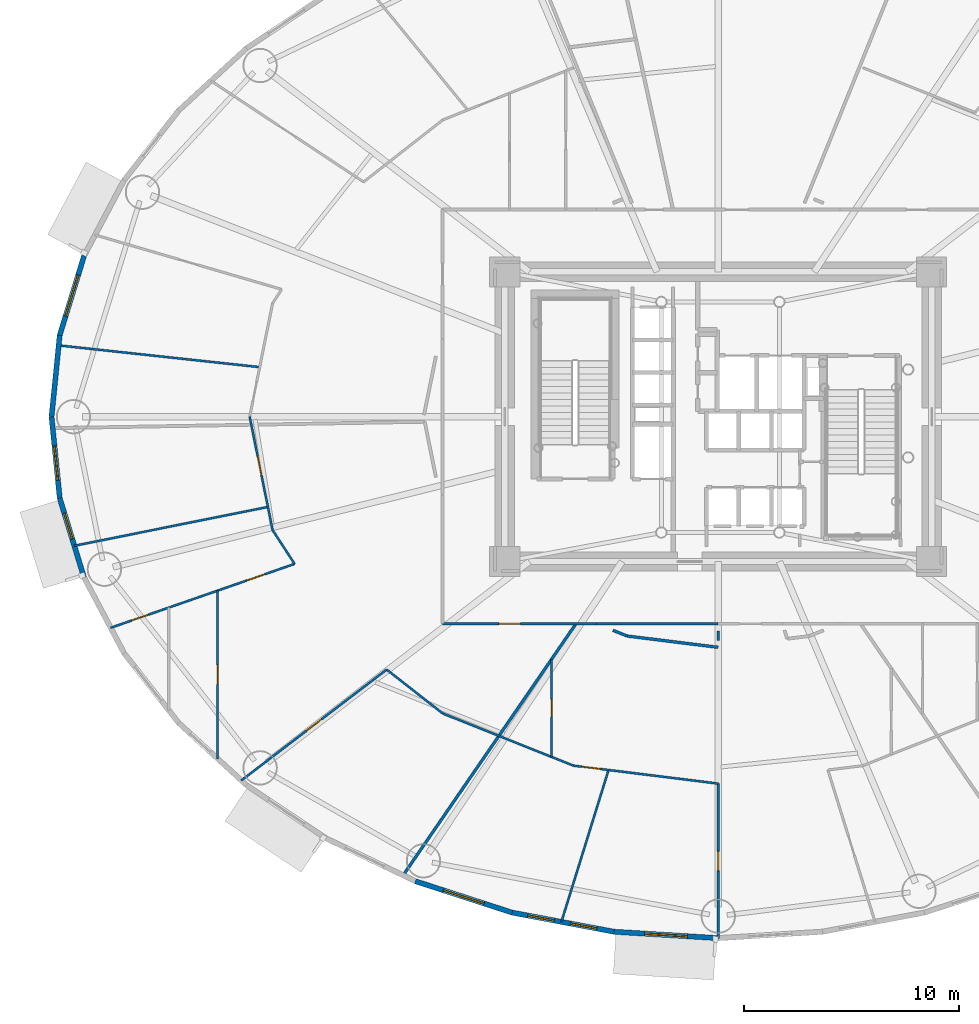
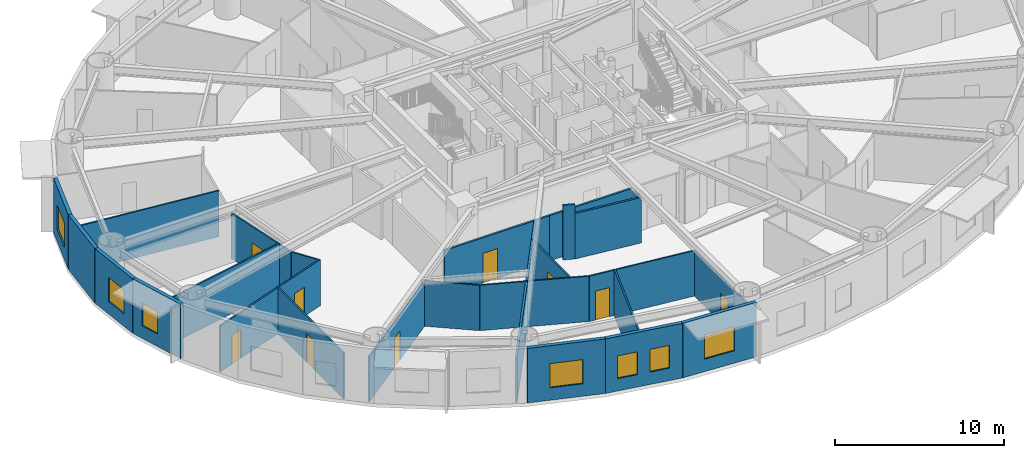
# One storey, part 8 of 21: 26 walls, 9 doors, 7 windows, 16 openings.
"""IFC4 building model written with IfcOpenShell, lengths in metres."""

from ifc_helpers import new_model, si_unit, direction, frame, frame_2d, origin, origin_2d, place, context, subcontext, project, spatial, rectangle, extrude, source, transform, mapped, material, layer, layer_set, type_object, element, fill, save


model = new_model("IFC4")

# Units and contexts
model_context = context("Model", 3, precision=1e-05, world=origin(), true_north=direction((0.0, 1.0)))
body_context = subcontext(model_context, "Body", "Model", "MODEL_VIEW")
ifc_project = project(units=[si_unit("LENGTHUNIT", "METRE"), si_unit("AREAUNIT", "SQUARE_METRE"), si_unit("VOLUMEUNIT", "CUBIC_METRE"), si_unit("PLANEANGLEUNIT", "RADIAN"), si_unit("MASSUNIT", "GRAM", prefix="KILO")], contexts=[model_context])

# Site, building, storey
site_placement = place(None, origin())
site = spatial("IfcSite", under=ifc_project, at=site_placement, CompositionType="ELEMENT")
building_placement = place(site_placement, origin())
building = spatial("IfcBuilding", under=site, at=building_placement, Name="Linh Dai School and Residence Tower", CompositionType="ELEMENT")
storey_placement = place(building_placement, frame((0.0, 0.0, 78.60009765625)))
storey = spatial("IfcBuildingStorey", under=building, at=storey_placement, Name="L18", CompositionType="ELEMENT", Elevation=78.60009765625)

# Wall, opening, window
ifc_material_1 = material(Name="Precast Concrete B45 (C35/45)", Category="concrete")
ifc_layer_1 = layer(ifc_material_1, 0.239990234375)
ifc_layer_set_1 = layer_set([ifc_layer_1], Name="Precast Concrete B45 (C35/45)")
wall_type_1 = type_object("IfcWallType", Name="EW-TC-240", PredefinedType="SOLIDWALL", material=ifc_layer_set_1)
wall_1_placement = place(storey_placement, frame((5.306640625, 30.796875, 0.0), z_axis=(0.0, 0.0, 1.0), x_axis=(0.293111631758, 0.956078224482, 0.0)))
wall_1 = element("IfcWall", 1, at=wall_1_placement, inside=storey, type_object=wall_type_1, Name="L18 Terracotta Exterior Wall 19", PredefinedType="SOLIDWALL", context=body_context, shape_type="SweptSolid", body=[
    extrude(rectangle(XDim=3.874755859375, YDim=0.239990234375, at=frame_2d((1.9375, 0.0))), origin(), (0.0, 0.0, 1.0), 3.949951171875),
])
opening_1_placement = place(wall_1_placement, frame((0.9375, 0.0, 0.89990234375)))
opening_1 = element("IfcOpeningElement", 2, at=opening_1_placement, cuts=wall_1, Name="Opening W1", PredefinedType="OPENING", context=body_context, shape_type="SweptSolid", body=[
    extrude(rectangle(XDim=2.0, YDim=1.75, at=origin_2d()), frame((1.0, 0.1298828125, 0.875), z_axis=(0.0, -1.0, 0.0), x_axis=(1.0, 0.0, 0.0)), (0.0, 0.0, 1.0), 0.260009765625),
])
ifc_material_2 = material(Name="Double Low-E Insulated Glazing", Category="glass")
window_type_1 = type_object("IfcWindowType", Name="WN-RES-2000x1750", PartitioningType="DOUBLE_PANEL_VERTICAL", PredefinedType="WINDOW", material=ifc_material_2)
shared_shape_1 = source(origin(), body_context, "Body", "SweptSolid", [
    extrude(rectangle(XDim=2.0, YDim=1.75, at=origin_2d()), frame((1.0, 0.030029296875, 0.875), z_axis=(0.0, -1.0, 0.0), x_axis=(1.0, 0.0, 0.0)), (0.0, 0.0, 1.0), 0.06005859375),
])
window_1_placement = place(opening_1_placement, origin())
window_1 = element("IfcWindow", 3, at=window_1_placement, inside=storey, type_object=window_type_1, Name="L18 Exterior Window 19.1", OverallHeight=1.75, OverallWidth=2.0, PartitioningType="DOUBLE_PANEL_VERTICAL", PredefinedType="WINDOW", context=body_context, shape_type="MappedRepresentation", body=[
    mapped(shared_shape_1, transform((0.0, 0.0, 0.0), x_axis=(1.0, 0.0, 0.0), y_axis=(0.0, 1.0, 0.0), z_axis=(0.0, 0.0, 1.0), scale=1.0)),
])
fill(opening_1, window_1)

# Wall
wall_2_placement = place(storey_placement, frame((4.925048828125, 27.0, 0.0), z_axis=(0.0, 0.0, 1.0), x_axis=(0.099997795174, 0.994987658698, 0.0)))
element("IfcWall", 4, at=wall_2_placement, inside=storey, type_object=wall_type_1, Name="L18 Terracotta Exterior Wall 20", PredefinedType="SOLIDWALL", context=body_context, shape_type="SweptSolid", body=[
    extrude(rectangle(XDim=3.81591796875, YDim=0.239990234375, at=frame_2d((1.907958984375, 0.0))), origin(), (0.0, 0.0, 1.0), 3.949951171875),
])

# Wall, opening, window
wall_3_placement = place(storey_placement, frame((5.306640625, 23.203125, 0.0), z_axis=(0.0, 0.0, 1.0), x_axis=(-0.099997795174, 0.994987658698, 0.0)))
wall_3 = element("IfcWall", 5, at=wall_3_placement, inside=storey, type_object=wall_type_1, Name="L18 Terracotta Exterior Wall 21", PredefinedType="SOLIDWALL", context=body_context, shape_type="SweptSolid", body=[
    extrude(rectangle(XDim=3.81591796875, YDim=0.239990234375, at=frame_2d((1.907958984375, 0.0))), origin(), (0.0, 0.0, 1.0), 3.949951171875),
])
opening_2_placement = place(wall_3_placement, frame((0.8408203125, 0.0, 0.89990234375)))
opening_2 = element("IfcOpeningElement", 6, at=opening_2_placement, cuts=wall_3, Name="Opening W2", PredefinedType="OPENING", context=body_context, shape_type="SweptSolid", body=[
    extrude(rectangle(XDim=1.60009765625, YDim=1.75, at=origin_2d()), frame((0.800048828125, 0.1298828125, 0.875), z_axis=(0.0, -1.0, 0.0), x_axis=(1.0, 0.0, 0.0)), (0.0, 0.0, 1.0), 0.260009765625),
])
window_type_2 = type_object("IfcWindowType", Name="WN-RES-1600x1750", PartitioningType="DOUBLE_PANEL_VERTICAL", PredefinedType="WINDOW", material=ifc_material_2)
shared_shape_2 = source(origin(), body_context, "Body", "SweptSolid", [
    extrude(rectangle(XDim=1.60009765625, YDim=1.75, at=origin_2d()), frame((0.800048828125, 0.030029296875, 0.875), z_axis=(0.0, -1.0, 0.0), x_axis=(1.0, 0.0, 0.0)), (0.0, 0.0, 1.0), 0.06005859375),
])
window_2_placement = place(opening_2_placement, origin())
window_2 = element("IfcWindow", 7, at=window_2_placement, inside=storey, type_object=window_type_2, Name="L18 Exterior Window 21.1", OverallHeight=1.75, OverallWidth=1.60009765625, PartitioningType="DOUBLE_PANEL_VERTICAL", PredefinedType="WINDOW", context=body_context, shape_type="MappedRepresentation", body=[
    mapped(shared_shape_2, transform((0.0, 0.0, 0.0), x_axis=(1.0, 0.0, 0.0), y_axis=(0.0, 1.0, 0.0), z_axis=(0.0, 0.0, 1.0), scale=1.0)),
])
fill(opening_2, window_2)

wall_4_placement = place(storey_placement, frame((6.4423828125, 19.49853515625, 0.0), z_axis=(0.0, 0.0, 1.0), x_axis=(-0.293111631758, 0.956078224482, 0.0)))
wall_4 = element("IfcWall", 8, at=wall_4_placement, inside=storey, type_object=wall_type_1, Name="L18 Terracotta Exterior Wall 22", PredefinedType="SOLIDWALL", context=body_context, shape_type="SweptSolid", body=[
    extrude(rectangle(XDim=3.874755859375, YDim=0.239990234375, at=frame_2d((1.9375, 0.0))), origin(), (0.0, 0.0, 1.0), 3.949951171875),
])
opening_3_placement = place(wall_4_placement, frame((1.886962890625, 0.0, 0.89990234375)))
opening_3 = element("IfcOpeningElement", 9, at=opening_3_placement, cuts=wall_4, Name="Opening W3", PredefinedType="OPENING", context=body_context, shape_type="SweptSolid", body=[
    extrude(rectangle(XDim=1.25, YDim=1.64990234375, at=origin_2d()), frame((0.625, 0.1298828125, 0.824951171875), z_axis=(0.0, -1.0, 0.0), x_axis=(1.0, 0.0, 0.0)), (0.0, 0.0, 1.0), 0.260009765625),
])
window_type_3 = type_object("IfcWindowType", Name="WN-RES-1250x1650", PartitioningType="SINGLE_PANEL", PredefinedType="WINDOW", material=ifc_material_2)
shared_shape_3 = source(origin(), body_context, "Body", "SweptSolid", [
    extrude(rectangle(XDim=1.25, YDim=1.64990234375, at=origin_2d()), frame((0.625, 0.030029296875, 0.824951171875), z_axis=(0.0, -1.0, 0.0), x_axis=(1.0, 0.0, 0.0)), (0.0, 0.0, 1.0), 0.06005859375),
])
window_3_placement = place(opening_3_placement, origin())
window_3 = element("IfcWindow", 10, at=window_3_placement, inside=storey, type_object=window_type_3, Name="L18 Exterior Window 22.1", OverallHeight=1.64990234375, OverallWidth=1.25, PartitioningType="SINGLE_PANEL", PredefinedType="WINDOW", context=body_context, shape_type="MappedRepresentation", body=[
    mapped(shared_shape_3, transform((0.0, 0.0, 0.0), x_axis=(1.0, 0.0, 0.0), y_axis=(0.0, 1.0, 0.0), z_axis=(0.0, 0.0, 1.0), scale=1.0)),
])
fill(opening_3, window_3)

wall_5_placement = place(storey_placement, frame((26.389404296875, 3.88671875, 0.0), z_axis=(0.0, 0.0, 1.0), x_axis=(-0.951207699013, 0.308551313946, 0.0)))
wall_5 = element("IfcWall", 11, at=wall_5_placement, inside=storey, type_object=wall_type_1, Name="L18 Terracotta Exterior Wall 28", PredefinedType="SOLIDWALL", context=body_context, shape_type="SweptSolid", body=[
    extrude(rectangle(XDim=4.73876953125, YDim=0.239990234375, at=frame_2d((2.369384765625, 0.0))), origin(), (0.0, 0.0, 1.0), 3.949951171875),
])
opening_4_placement = place(wall_5_placement, frame((1.369384765625, 0.0, 0.89990234375)))
opening_4 = element("IfcOpeningElement", 12, at=opening_4_placement, cuts=wall_5, Name="Opening W1", PredefinedType="OPENING", context=body_context, shape_type="SweptSolid", body=[
    extrude(rectangle(XDim=2.0, YDim=1.75, at=origin_2d()), frame((1.0, 0.1298828125, 0.875), z_axis=(0.0, -1.0, 0.0), x_axis=(1.0, 0.0, 0.0)), (0.0, 0.0, 1.0), 0.260009765625),
])
window_4_placement = place(opening_4_placement, origin())
window_4 = element("IfcWindow", 13, at=window_4_placement, inside=storey, type_object=window_type_1, Name="L18 Exterior Window 28.1", OverallHeight=1.75, OverallWidth=2.0, PartitioningType="DOUBLE_PANEL_VERTICAL", PredefinedType="WINDOW", context=body_context, shape_type="MappedRepresentation", body=[
    mapped(shared_shape_1, transform((0.0, 0.0, 0.0), x_axis=(1.0, 0.0, 0.0), y_axis=(0.0, 1.0, 0.0), z_axis=(0.0, 0.0, 1.0), scale=1.0)),
])
fill(opening_4, window_4)

# Wall, openings, windows
wall_6_placement = place(storey_placement, frame((31.134521484375, 2.994873046875, 0.0), z_axis=(0.0, 0.0, 1.0), x_axis=(-0.982791952378, 0.184715939598, 0.0)))
wall_6 = element("IfcWall", 14, at=wall_6_placement, inside=storey, type_object=wall_type_1, Name="L18 Terracotta Exterior Wall 29", PredefinedType="SOLIDWALL", context=body_context, shape_type="SweptSolid", body=[
    extrude(rectangle(XDim=4.828125, YDim=0.239990234375, at=frame_2d((2.4140625, 0.0))), origin(), (0.0, 0.0, 1.0), 3.949951171875),
])
opening_5_placement = place(wall_6_placement, frame((0.80517578125, 0.0, 0.89990234375)))
opening_5 = element("IfcOpeningElement", 15, at=opening_5_placement, cuts=wall_6, Name="Opening W3", PredefinedType="OPENING", context=body_context, shape_type="SweptSolid", body=[
    extrude(rectangle(XDim=1.25, YDim=1.64990234375, at=origin_2d()), frame((0.625, 0.1298828125, 0.824951171875), z_axis=(0.0, -1.0, 0.0), x_axis=(1.0, 0.0, 0.0)), (0.0, 0.0, 1.0), 0.260009765625),
])
opening_6_placement = place(wall_6_placement, frame((2.831298828125, 0.0, 0.89990234375)))
opening_6 = element("IfcOpeningElement", 16, at=opening_6_placement, cuts=wall_6, Name="Opening W3", PredefinedType="OPENING", context=body_context, shape_type="SweptSolid", body=[
    extrude(rectangle(XDim=1.25, YDim=1.64990234375, at=origin_2d()), frame((0.625, 0.1298828125, 0.824951171875), z_axis=(0.0, -1.0, 0.0), x_axis=(1.0, 0.0, 0.0)), (0.0, 0.0, 1.0), 0.260009765625),
])
window_5_placement = place(opening_5_placement, origin())
window_5 = element("IfcWindow", 17, at=window_5_placement, inside=storey, type_object=window_type_3, Name="L18 Exterior Window 29.1", OverallHeight=1.64990234375, OverallWidth=1.25, PartitioningType="SINGLE_PANEL", PredefinedType="WINDOW", context=body_context, shape_type="MappedRepresentation", body=[
    mapped(shared_shape_3, transform((0.0, 0.0, 0.0), x_axis=(1.0, 0.0, 0.0), y_axis=(0.0, 1.0, 0.0), z_axis=(0.0, 0.0, 1.0), scale=1.0)),
])
fill(opening_5, window_5)
window_6_placement = place(opening_6_placement, origin())
window_6 = element("IfcWindow", 18, at=window_6_placement, inside=storey, type_object=window_type_3, Name="L18 Exterior Window 29.2", OverallHeight=1.64990234375, OverallWidth=1.25, PartitioningType="SINGLE_PANEL", PredefinedType="WINDOW", context=body_context, shape_type="MappedRepresentation", body=[
    mapped(shared_shape_3, transform((0.0, 0.0, 0.0), x_axis=(1.0, 0.0, 0.0), y_axis=(0.0, 1.0, 0.0), z_axis=(0.0, 0.0, 1.0), scale=1.0)),
])
fill(opening_6, window_6)

# Wall, opening, window
wall_7_placement = place(storey_placement, frame((36.0, 2.695068359375, 0.0), z_axis=(0.0, 0.0, 1.0), x_axis=(-0.998106954071, 0.061502099433, 0.0)))
wall_7 = element("IfcWall", 19, at=wall_7_placement, inside=storey, type_object=wall_type_1, Name="L18 Terracotta Exterior Wall 30", PredefinedType="SOLIDWALL", context=body_context, shape_type="SweptSolid", body=[
    extrude(rectangle(XDim=4.874755859375, YDim=0.239990234375, at=frame_2d((2.4375, 0.0))), origin(), (0.0, 0.0, 1.0), 3.949951171875),
])
opening_7_placement = place(wall_7_placement, frame((1.437255859375, 0.0, 0.89990234375)))
opening_7 = element("IfcOpeningElement", 20, at=opening_7_placement, cuts=wall_7, Name="Opening W1", PredefinedType="OPENING", context=body_context, shape_type="SweptSolid", body=[
    extrude(rectangle(XDim=2.0, YDim=1.75, at=origin_2d()), frame((1.0, 0.1298828125, 0.875), z_axis=(0.0, -1.0, 0.0), x_axis=(1.0, 0.0, 0.0)), (0.0, 0.0, 1.0), 0.260009765625),
])
window_7_placement = place(opening_7_placement, origin())
window_7 = element("IfcWindow", 21, at=window_7_placement, inside=storey, type_object=window_type_1, Name="L18 Exterior Window 30.1", OverallHeight=1.75, OverallWidth=2.0, PartitioningType="DOUBLE_PANEL_VERTICAL", PredefinedType="WINDOW", context=body_context, shape_type="MappedRepresentation", body=[
    mapped(shared_shape_1, transform((0.0, 0.0, 0.0), x_axis=(1.0, 0.0, 0.0), y_axis=(0.0, 1.0, 0.0), z_axis=(0.0, 0.0, 1.0), scale=1.0)),
])
fill(opening_7, window_7)

# Wall
ifc_material_3 = material(Name="Autoclaved Aerated Concrete Blockwork", Category="masonry")
ifc_layer_2 = layer(ifc_material_3, 0.135009765625)
ifc_layer_set_2 = layer_set([ifc_layer_2], Name="Autoclaved Aerated Concrete Blockwork")
wall_type_2 = type_object("IfcWallType", Name="IW-CORR-135-EI90", PredefinedType="PARTITIONING", material=ifc_layer_set_2)
wall_8_placement = place(storey_placement, frame((21.30859375, 5.618408203125, 0.0), z_axis=(0.0, 0.0, 1.0), x_axis=(0.566302415372, 0.82419753357, 0.0)))
element("IfcWall", 22, at=wall_8_placement, inside=storey, type_object=wall_type_2, Name="L18 Interior Partition Wall 017", PredefinedType="PARTITIONING", context=body_context, shape_type="SweptSolid", body=[
    extrude(rectangle(XDim=14.234130859375, YDim=0.135009765625, at=frame_2d((7.1171875, 0.0))), origin(), (0.0, 0.0, 1.0), 3.284912109375),
])

# Wall, opening, door
wall_9_placement = place(storey_placement, frame((23.14990234375, 17.35009765625, 0.0), z_axis=(0.0, 0.0, 1.0), x_axis=(1.0, 0.0, 0.0)))
wall_9 = element("IfcWall", 23, at=wall_9_placement, inside=storey, type_object=wall_type_2, Name="L18 Interior Partition Wall 019", PredefinedType="PARTITIONING", context=body_context, shape_type="SweptSolid", body=[
    extrude(rectangle(XDim=7.17138671875, YDim=0.135009765625, at=frame_2d((3.585693359375, 0.0))), origin(), (0.0, 0.0, 1.0), 3.284912109375),
])
opening_8_placement = place(wall_9_placement, frame((2.629638671875, 0.0, 0.0)))
opening_8 = element("IfcOpeningElement", 24, at=opening_8_placement, cuts=wall_9, Name="Opening D03", PredefinedType="OPENING", context=body_context, shape_type="SweptSolid", body=[
    extrude(rectangle(XDim=1.0, YDim=2.14990234375, at=origin_2d()), frame((0.5, 0.07763671875, 1.074951171875), z_axis=(0.0, -1.0, 0.0), x_axis=(1.0, 0.0, 0.0)), (0.0, 0.0, 1.0), 0.155029296875),
])
ifc_material_4 = material(Name="Fire-Rated Solid Timber Entrance Door", Category="wood")
door_type_1 = type_object("IfcDoorType", Name="DR-FLAT-1000x2150-FD60S", OperationType="NOTDEFINED", PredefinedType="DOOR", material=ifc_material_4)
shared_shape_4 = source(origin(), body_context, "Body", "SweptSolid", [
    extrude(rectangle(XDim=1.0, YDim=2.14990234375, at=origin_2d()), frame((0.5, 0.02490234375, 1.074951171875), z_axis=(0.0, -1.0, 0.0), x_axis=(1.0, 0.0, 0.0)), (0.0, 0.0, 1.0), 0.050048828125),
])
door_1_placement = place(opening_8_placement, origin())
door_1 = element("IfcDoor", 25, at=door_1_placement, inside=storey, type_object=door_type_1, Name="L18 U1802 Apartment Entrance Door", OperationType="SINGLE_SWING_RIGHT", OverallHeight=2.14990234375, OverallWidth=1.0, PredefinedType="DOOR", context=body_context, shape_type="MappedRepresentation", body=[
    mapped(shared_shape_4, transform((0.0, 0.0, 0.0), x_axis=(1.0, 0.0, 0.0), y_axis=(0.0, 1.0, 0.0), z_axis=(0.0, 0.0, 1.0), scale=1.0)),
])
fill(opening_8, door_1)

# Walls
wall_10_placement = place(storey_placement, frame((35.989990234375, 17.35009765625, 0.0), z_axis=(0.0, 0.0, 1.0), x_axis=(-1.0, 0.0, 0.0)))
element("IfcWall", 26, at=wall_10_placement, inside=storey, type_object=wall_type_2, Name="L18 Interior Partition Wall 114", PredefinedType="PARTITIONING", context=body_context, shape_type="SweptSolid", body=[
    extrude(rectangle(XDim=5.65869140625, YDim=0.135009765625, at=frame_2d((2.829345703125, 0.0))), origin(), (0.0, 0.0, 1.0), 3.284912109375),
])
wall_11_placement = place(storey_placement, frame((31.092041015625, 17.04248046875, 0.0), z_axis=(0.0, 0.0, 1.0), x_axis=(0.928805178175, -0.370568402587, 0.0)))
element("IfcWall", 27, at=wall_11_placement, inside=storey, type_object=wall_type_2, Name="L18 Interior Partition Wall 129", PredefinedType="PARTITIONING", context=body_context, shape_type="SweptSolid", body=[
    extrude(rectangle(XDim=0.716796875, YDim=0.135009765625, at=frame_2d((0.3583984375, 0.0))), origin(), (0.0, 0.0, 1.0), 3.949951171875),
])
wall_12_placement = place(storey_placement, frame((31.7578125, 16.77685546875, 0.0), z_axis=(0.0, 0.0, 1.0), x_axis=(0.992396914345, -0.123078691898, 0.0)))
element("IfcWall", 28, at=wall_12_placement, inside=storey, type_object=wall_type_2, Name="L18 Interior Partition Wall 130", PredefinedType="PARTITIONING", context=body_context, shape_type="SweptSolid", body=[
    extrude(rectangle(XDim=4.274658203125, YDim=0.135009765625, at=frame_2d((2.13720703125, 0.0))), origin(), (0.0, 0.0, 1.0), 3.284912109375),
])
wall_13_placement = place(storey_placement, frame((36.0, 16.560546875, 0.0), z_axis=(0.0, 0.0, 1.0), x_axis=(0.0, 1.0, 0.0)))
element("IfcWall", 29, at=wall_13_placement, inside=storey, type_object=wall_type_2, Name="L18 Interior Partition Wall 131", PredefinedType="PARTITIONING", context=body_context, shape_type="SweptSolid", body=[
    extrude(rectangle(XDim=0.4619140625, YDim=0.135009765625, at=frame_2d((0.23095703125, 0.0))), origin(), (0.0, 0.0, 1.0), 3.284912109375),
])
ifc_material_5 = material(Name="Gypsum Plasterboard Acoustic Stud Partition", Category="masonry")
ifc_layer_3 = layer(ifc_material_5, 0.10009765625)
ifc_layer_set_3 = layer_set([ifc_layer_3], Name="Gypsum Plasterboard Acoustic Stud Partition")
wall_type_3 = type_object("IfcWallType", Name="IW-UNIT-100", PredefinedType="PARTITIONING", material=ifc_layer_set_3)
wall_14_placement = place(storey_placement, frame((5.254150390625, 30.323974609375, 0.0), z_axis=(0.0, 0.0, 1.0), x_axis=(0.994205925685, -0.107492219871, 0.0)))
element("IfcWall", 30, at=wall_14_placement, inside=storey, type_object=wall_type_3, Name="L18 Interior Partition Wall 002", PredefinedType="PARTITIONING", context=body_context, shape_type="SweptSolid", body=[
    extrude(rectangle(XDim=9.427978515625, YDim=0.10009765625, at=frame_2d((4.7138671875, 0.0))), origin(), (0.0, 0.0, 1.0), 3.3349609375),
])
wall_15_placement = place(storey_placement, frame((5.982177734375, 20.9833984375, 0.0), z_axis=(0.0, 0.0, 1.0), x_axis=(0.980501056264, 0.19651381291, 0.0)))
element("IfcWall", 31, at=wall_15_placement, inside=storey, type_object=wall_type_3, Name="L18 Interior Partition Wall 003", PredefinedType="PARTITIONING", context=body_context, shape_type="SweptSolid", body=[
    extrude(rectangle(XDim=9.208251953125, YDim=0.10009765625, at=frame_2d((4.60400390625, 0.0))), origin(), (0.0, 0.0, 1.0), 3.3349609375),
])

# Wall, openings, doors
wall_16_placement = place(storey_placement, frame((7.6748046875, 17.158447265625, 0.0), z_axis=(0.0, 0.0, 1.0), x_axis=(0.944607706733, 0.328201584976, 0.0)))
wall_16 = element("IfcWall", 32, at=wall_16_placement, inside=storey, type_object=wall_type_3, Name="L18 Interior Partition Wall 005", PredefinedType="PARTITIONING", context=body_context, shape_type="SweptSolid", body=[
    extrude(rectangle(XDim=9.082763671875, YDim=0.10009765625, at=frame_2d((4.54150390625, 0.0))), origin(), (0.0, 0.0, 1.0), 3.3349609375),
])
opening_9_placement = place(wall_16_placement, frame((6.712890625, 0.0, 0.0)))
opening_9 = element("IfcOpeningElement", 33, at=opening_9_placement, cuts=wall_16, Name="Opening D05", PredefinedType="OPENING", context=body_context, shape_type="SweptSolid", body=[
    extrude(rectangle(XDim=0.89990234375, YDim=2.10009765625, at=origin_2d()), frame((0.449951171875, 0.06005859375, 1.050048828125), z_axis=(0.0, -1.0, 0.0), x_axis=(1.0, 0.0, 0.0)), (0.0, 0.0, 1.0), 0.1201171875),
])
opening_10_placement = place(wall_16_placement, frame((1.045654296875, 0.0, 0.0)))
opening_10 = element("IfcOpeningElement", 34, at=opening_10_placement, cuts=wall_16, Name="Opening D06", PredefinedType="OPENING", context=body_context, shape_type="SweptSolid", body=[
    extrude(rectangle(XDim=0.820068359375, YDim=2.10009765625, at=origin_2d()), frame((0.41015625, 0.06005859375, 1.050048828125), z_axis=(0.0, -1.0, 0.0), x_axis=(1.0, 0.0, 0.0)), (0.0, 0.0, 1.0), 0.1201171875),
])
ifc_material_6 = material(Name="Moisture-Resistant Timber Bathroom Door", Category="wood")
door_type_2 = type_object("IfcDoorType", Name="DR-WET-820x2100", OperationType="NOTDEFINED", PredefinedType="DOOR", material=ifc_material_6)
shared_shape_5 = source(origin(), body_context, "Body", "SweptSolid", [
    extrude(rectangle(XDim=0.820068359375, YDim=2.10009765625, at=origin_2d()), frame((0.41015625, 0.02490234375, 1.050048828125), z_axis=(0.0, -1.0, 0.0), x_axis=(1.0, 0.0, 0.0)), (0.0, 0.0, 1.0), 0.050048828125),
])
door_2_placement = place(opening_10_placement, origin())
door_2 = element("IfcDoor", 35, at=door_2_placement, inside=storey, type_object=door_type_2, Name="L18 Apartment U1802 Bathroom 1 Door", OperationType="SINGLE_SWING_RIGHT", OverallHeight=2.10009765625, OverallWidth=0.820068359375, PredefinedType="DOOR", context=body_context, shape_type="MappedRepresentation", body=[
    mapped(shared_shape_5, transform((0.0, 0.0, 0.0), x_axis=(1.0, 0.0, 0.0), y_axis=(0.0, 1.0, 0.0), z_axis=(0.0, 0.0, 1.0), scale=1.0)),
])
fill(opening_10, door_2)
ifc_material_7 = material(Name="Engineered Timber Internal Door", Category="wood")
door_type_3 = type_object("IfcDoorType", Name="DR-INT-900x2100", OperationType="NOTDEFINED", PredefinedType="DOOR", material=ifc_material_7)
shared_shape_6 = source(origin(), body_context, "Body", "SweptSolid", [
    extrude(rectangle(XDim=0.89990234375, YDim=2.10009765625, at=origin_2d()), frame((0.449951171875, 0.02490234375, 1.050048828125), z_axis=(0.0, -1.0, 0.0), x_axis=(1.0, 0.0, 0.0)), (0.0, 0.0, 1.0), 0.050048828125),
])
door_3_placement = place(opening_9_placement, origin())
door_3 = element("IfcDoor", 36, at=door_3_placement, inside=storey, type_object=door_type_3, Name="L18 Apartment U1802 Study Door", OperationType="SINGLE_SWING_RIGHT", OverallHeight=2.10009765625, OverallWidth=0.89990234375, PredefinedType="DOOR", context=body_context, shape_type="MappedRepresentation", body=[
    mapped(shared_shape_6, transform((0.0, 0.0, 0.0), x_axis=(1.0, 0.0, 0.0), y_axis=(0.0, 1.0, 0.0), z_axis=(0.0, 0.0, 1.0), scale=1.0)),
])
fill(opening_9, door_3)

# Wall, opening, door
wall_17_placement = place(storey_placement, frame((12.6650390625, 11.054931640625, 0.0), z_axis=(0.0, 0.0, 1.0), x_axis=(0.0, 1.0, 0.0)))
wall_17 = element("IfcWall", 37, at=wall_17_placement, inside=storey, type_object=wall_type_3, Name="L18 Interior Partition Wall 008", PredefinedType="PARTITIONING", context=body_context, shape_type="SweptSolid", body=[
    extrude(rectangle(XDim=7.83740234375, YDim=0.10009765625, at=frame_2d((3.918701171875, 0.0))), origin(), (0.0, 0.0, 1.0), 3.3349609375),
])
opening_11_placement = place(wall_17_placement, frame((3.468505859375, 0.0, 0.0)))
opening_11 = element("IfcOpeningElement", 38, at=opening_11_placement, cuts=wall_17, Name="Opening D05", PredefinedType="OPENING", context=body_context, shape_type="SweptSolid", body=[
    extrude(rectangle(XDim=0.89990234375, YDim=2.10009765625, at=origin_2d()), frame((0.449951171875, 0.06005859375, 1.050048828125), z_axis=(0.0, -1.0, 0.0), x_axis=(1.0, 0.0, 0.0)), (0.0, 0.0, 1.0), 0.1201171875),
])
door_4_placement = place(opening_11_placement, origin())
door_4 = element("IfcDoor", 39, at=door_4_placement, inside=storey, type_object=door_type_3, Name="L18 Apartment U1802 Kitchen Door", OperationType="SINGLE_SWING_LEFT", OverallHeight=2.10009765625, OverallWidth=0.89990234375, PredefinedType="DOOR", context=body_context, shape_type="MappedRepresentation", body=[
    mapped(shared_shape_6, transform((0.0, 0.0, 0.0), x_axis=(1.0, 0.0, 0.0), y_axis=(0.0, 1.0, 0.0), z_axis=(0.0, 0.0, 1.0), scale=1.0)),
])
fill(opening_11, door_4)

wall_18_placement = place(storey_placement, frame((13.768310546875, 10.04345703125, 0.0), z_axis=(0.0, 0.0, 1.0), x_axis=(0.795121316636, 0.606450403439, 0.0)))
wall_18 = element("IfcWall", 40, at=wall_18_placement, inside=storey, type_object=wall_type_3, Name="L18 Interior Partition Wall 009", PredefinedType="PARTITIONING", context=body_context, shape_type="SweptSolid", body=[
    extrude(rectangle(XDim=8.52490234375, YDim=0.10009765625, at=frame_2d((4.262451171875, 0.0))), origin(), (0.0, 0.0, 1.0), 3.284912109375),
])
opening_12_placement = place(wall_18_placement, frame((3.8125, 0.0, 0.0)))
opening_12 = element("IfcOpeningElement", 41, at=opening_12_placement, cuts=wall_18, Name="Opening D05", PredefinedType="OPENING", context=body_context, shape_type="SweptSolid", body=[
    extrude(rectangle(XDim=0.89990234375, YDim=2.10009765625, at=origin_2d()), frame((0.449951171875, 0.06005859375, 1.050048828125), z_axis=(0.0, -1.0, 0.0), x_axis=(1.0, 0.0, 0.0)), (0.0, 0.0, 1.0), 0.1201171875),
])
door_5_placement = place(opening_12_placement, origin())
door_5 = element("IfcDoor", 42, at=door_5_placement, inside=storey, type_object=door_type_3, Name="L18 Apartment U1802 Principal Bedroom 2 Door", OperationType="SINGLE_SWING_LEFT", OverallHeight=2.10009765625, OverallWidth=0.89990234375, PredefinedType="DOOR", context=body_context, shape_type="MappedRepresentation", body=[
    mapped(shared_shape_6, transform((0.0, 0.0, 0.0), x_axis=(1.0, 0.0, 0.0), y_axis=(0.0, 1.0, 0.0), z_axis=(0.0, 0.0, 1.0), scale=1.0)),
])
fill(opening_12, door_5)

wall_19_placement = place(storey_placement, frame((14.159912109375, 27.0, 0.0), z_axis=(0.0, 0.0, 1.0), x_axis=(0.198292702032, -0.980142848936, 0.0)))
wall_19 = element("IfcWall", 43, at=wall_19_placement, inside=storey, type_object=wall_type_3, Name="L18 Interior Partition Wall 010", PredefinedType="PARTITIONING", context=body_context, shape_type="SweptSolid", body=[
    extrude(rectangle(XDim=5.3916015625, YDim=0.10009765625, at=frame_2d((2.69580078125, 0.0))), origin(), (0.0, 0.0, 1.0), 3.284912109375),
])
opening_13_placement = place(wall_19_placement, frame((1.88720703125, 0.0, 0.0)))
opening_13 = element("IfcOpeningElement", 44, at=opening_13_placement, cuts=wall_19, Name="Opening D05", PredefinedType="OPENING", context=body_context, shape_type="SweptSolid", body=[
    extrude(rectangle(XDim=0.89990234375, YDim=2.10009765625, at=origin_2d()), frame((0.449951171875, 0.06005859375, 1.050048828125), z_axis=(0.0, -1.0, 0.0), x_axis=(1.0, 0.0, 0.0)), (0.0, 0.0, 1.0), 0.1201171875),
])
door_6_placement = place(opening_13_placement, origin())
door_6 = element("IfcDoor", 45, at=door_6_placement, inside=storey, type_object=door_type_3, Name="L18 Apartment U1802 Principal Bedroom 1 Door", OperationType="SINGLE_SWING_LEFT", OverallHeight=2.10009765625, OverallWidth=0.89990234375, PredefinedType="DOOR", context=body_context, shape_type="MappedRepresentation", body=[
    mapped(shared_shape_6, transform((0.0, 0.0, 0.0), x_axis=(1.0, 0.0, 0.0), y_axis=(0.0, 1.0, 0.0), z_axis=(0.0, 0.0, 1.0), scale=1.0)),
])
fill(opening_13, door_6)

# Walls
wall_20_placement = place(storey_placement, frame((15.22900390625, 21.715576171875, 0.0), z_axis=(0.0, 0.0, 1.0), x_axis=(0.545316895374, -0.838229970604, 0.0)))
element("IfcWall", 46, at=wall_20_placement, inside=storey, type_object=wall_type_3, Name="L18 Interior Partition Wall 012", PredefinedType="PARTITIONING", context=body_context, shape_type="SweptSolid", body=[
    extrude(rectangle(XDim=1.88037109375, YDim=0.10009765625, at=frame_2d((0.940185546875, 0.0))), origin(), (0.0, 0.0, 1.0), 3.284912109375),
])
wall_21_placement = place(storey_placement, frame((20.546630859375, 15.21337890625, 0.0), z_axis=(0.0, 0.0, 1.0), x_axis=(0.78737784261, -0.616470707307, 0.0)))
element("IfcWall", 47, at=wall_21_placement, inside=storey, type_object=wall_type_3, Name="L18 Interior Partition Wall 016", PredefinedType="PARTITIONING", context=body_context, shape_type="SweptSolid", body=[
    extrude(rectangle(XDim=3.32275390625, YDim=0.10009765625, at=frame_2d((1.661376953125, 0.0))), origin(), (0.0, 0.0, 1.0), 3.284912109375),
])
wall_22_placement = place(storey_placement, frame((23.162841796875, 13.1650390625, 0.0), z_axis=(0.0, 0.0, 1.0), x_axis=(0.928799979038, -0.370581433613, 0.0)))
element("IfcWall", 48, at=wall_22_placement, inside=storey, type_object=wall_type_3, Name="L18 Interior Partition Wall 022", PredefinedType="PARTITIONING", context=body_context, shape_type="SweptSolid", body=[
    extrude(rectangle(XDim=6.55517578125, YDim=0.10009765625, at=frame_2d((3.277587890625, 0.0))), origin(), (0.0, 0.0, 1.0), 3.284912109375),
])

# Wall, opening, door
wall_23_placement = place(storey_placement, frame((28.230712890625, 11.14306640625, 0.0), z_axis=(0.0, 0.0, 1.0), x_axis=(0.0, 1.0, 0.0)))
wall_23 = element("IfcWall", 49, at=wall_23_placement, inside=storey, type_object=wall_type_3, Name="L18 Interior Partition Wall 027", PredefinedType="PARTITIONING", context=body_context, shape_type="SweptSolid", body=[
    extrude(rectangle(XDim=4.549560546875, YDim=0.10009765625, at=frame_2d((2.27490234375, 0.0))), origin(), (0.0, 0.0, 1.0), 3.284912109375),
])
opening_14_placement = place(wall_23_placement, frame((1.86474609375, 0.0, 0.0)))
opening_14 = element("IfcOpeningElement", 50, at=opening_14_placement, cuts=wall_23, Name="Opening D06", PredefinedType="OPENING", context=body_context, shape_type="SweptSolid", body=[
    extrude(rectangle(XDim=0.820068359375, YDim=2.10009765625, at=origin_2d()), frame((0.41015625, 0.06005859375, 1.050048828125), z_axis=(0.0, -1.0, 0.0), x_axis=(1.0, 0.0, 0.0)), (0.0, 0.0, 1.0), 0.1201171875),
])
door_7_placement = place(opening_14_placement, origin())
door_7 = element("IfcDoor", 51, at=door_7_placement, inside=storey, type_object=door_type_2, Name="L18 Apartment U1803 Bathroom 1 Door", OperationType="SINGLE_SWING_RIGHT", OverallHeight=2.10009765625, OverallWidth=0.820068359375, PredefinedType="DOOR", context=body_context, shape_type="MappedRepresentation", body=[
    mapped(shared_shape_5, transform((0.0, 0.0, 0.0), x_axis=(1.0, 0.0, 0.0), y_axis=(0.0, 1.0, 0.0), z_axis=(0.0, 0.0, 1.0), scale=1.0)),
])
fill(opening_14, door_7)

# Wall
wall_24_placement = place(storey_placement, frame((28.68896484375, 3.449462890625, 0.0), z_axis=(0.0, 0.0, 1.0), x_axis=(0.296478934609, 0.955039392556, 0.0)))
element("IfcWall", 52, at=wall_24_placement, inside=storey, type_object=wall_type_3, Name="L18 Interior Partition Wall 028", PredefinedType="PARTITIONING", context=body_context, shape_type="SweptSolid", body=[
    extrude(rectangle(XDim=7.4169921875, YDim=0.10009765625, at=frame_2d((3.70849609375, 0.0))), origin(), (0.0, 0.0, 1.0), 3.3349609375),
])

# Wall, opening, door
wall_25_placement = place(storey_placement, frame((29.2509765625, 10.736083984375, 0.0), z_axis=(0.0, 0.0, 1.0), x_axis=(0.992394520877, -0.123097989151, 0.0)))
wall_25 = element("IfcWall", 53, at=wall_25_placement, inside=storey, type_object=wall_type_3, Name="L18 Interior Partition Wall 031", PredefinedType="PARTITIONING", context=body_context, shape_type="SweptSolid", body=[
    extrude(rectangle(XDim=6.80078125, YDim=0.10009765625, at=frame_2d((3.400390625, 0.0))), origin(), (0.0, 0.0, 1.0), 3.284912109375),
])
opening_15_placement = place(wall_25_placement, frame((0.394775390625, 0.0, 0.0)))
opening_15 = element("IfcOpeningElement", 54, at=opening_15_placement, cuts=wall_25, Name="Opening D05", PredefinedType="OPENING", context=body_context, shape_type="SweptSolid", body=[
    extrude(rectangle(XDim=0.89990234375, YDim=2.10009765625, at=origin_2d()), frame((0.449951171875, 0.06005859375, 1.050048828125), z_axis=(0.0, -1.0, 0.0), x_axis=(1.0, 0.0, 0.0)), (0.0, 0.0, 1.0), 0.1201171875),
])
door_8_placement = place(opening_15_placement, origin())
door_8 = element("IfcDoor", 55, at=door_8_placement, inside=storey, type_object=door_type_3, Name="L18 Apartment U1803 Principal Bedroom 1 Door", OperationType="SINGLE_SWING_LEFT", OverallHeight=2.10009765625, OverallWidth=0.89990234375, PredefinedType="DOOR", context=body_context, shape_type="MappedRepresentation", body=[
    mapped(shared_shape_6, transform((0.0, 0.0, 0.0), x_axis=(1.0, 0.0, 0.0), y_axis=(0.0, 1.0, 0.0), z_axis=(0.0, 0.0, 1.0), scale=1.0)),
])
fill(opening_15, door_8)

wall_26_placement = place(storey_placement, frame((36.0, 2.68994140625, 0.0), z_axis=(0.0, 0.0, 1.0), x_axis=(0.0, 1.0, 0.0)))
wall_26 = element("IfcWall", 56, at=wall_26_placement, inside=storey, type_object=wall_type_3, Name="L18 Interior Partition Wall 054", PredefinedType="PARTITIONING", context=body_context, shape_type="SweptSolid", body=[
    extrude(rectangle(XDim=7.208984375, YDim=0.10009765625, at=frame_2d((3.6044921875, 0.0))), origin(), (0.0, 0.0, 1.0), 3.284912109375),
])
opening_16_placement = place(wall_26_placement, frame((3.154541015625, 0.0, 0.0)))
opening_16 = element("IfcOpeningElement", 57, at=opening_16_placement, cuts=wall_26, Name="Opening D05", PredefinedType="OPENING", context=body_context, shape_type="SweptSolid", body=[
    extrude(rectangle(XDim=0.89990234375, YDim=2.10009765625, at=origin_2d()), frame((0.449951171875, 0.06005859375, 1.050048828125), z_axis=(0.0, -1.0, 0.0), x_axis=(1.0, 0.0, 0.0)), (0.0, 0.0, 1.0), 0.1201171875),
])
door_9_placement = place(opening_16_placement, origin())
door_9 = element("IfcDoor", 58, at=door_9_placement, inside=storey, type_object=door_type_3, Name="L18 Apartment U1803 Principal Bedroom 2 Door", OperationType="SINGLE_SWING_RIGHT", OverallHeight=2.10009765625, OverallWidth=0.89990234375, PredefinedType="DOOR", context=body_context, shape_type="MappedRepresentation", body=[
    mapped(shared_shape_6, transform((0.0, 0.0, 0.0), x_axis=(1.0, 0.0, 0.0), y_axis=(0.0, 1.0, 0.0), z_axis=(0.0, 0.0, 1.0), scale=1.0)),
])
fill(opening_16, door_9)

save(model, "model.ifc")
